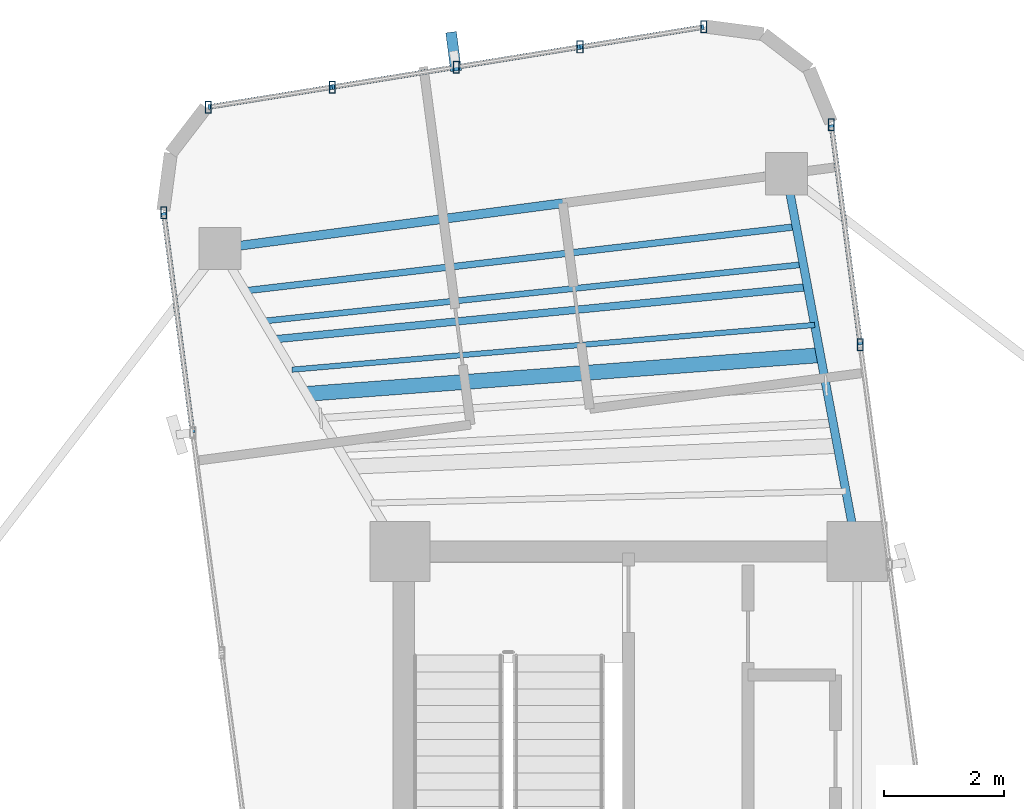
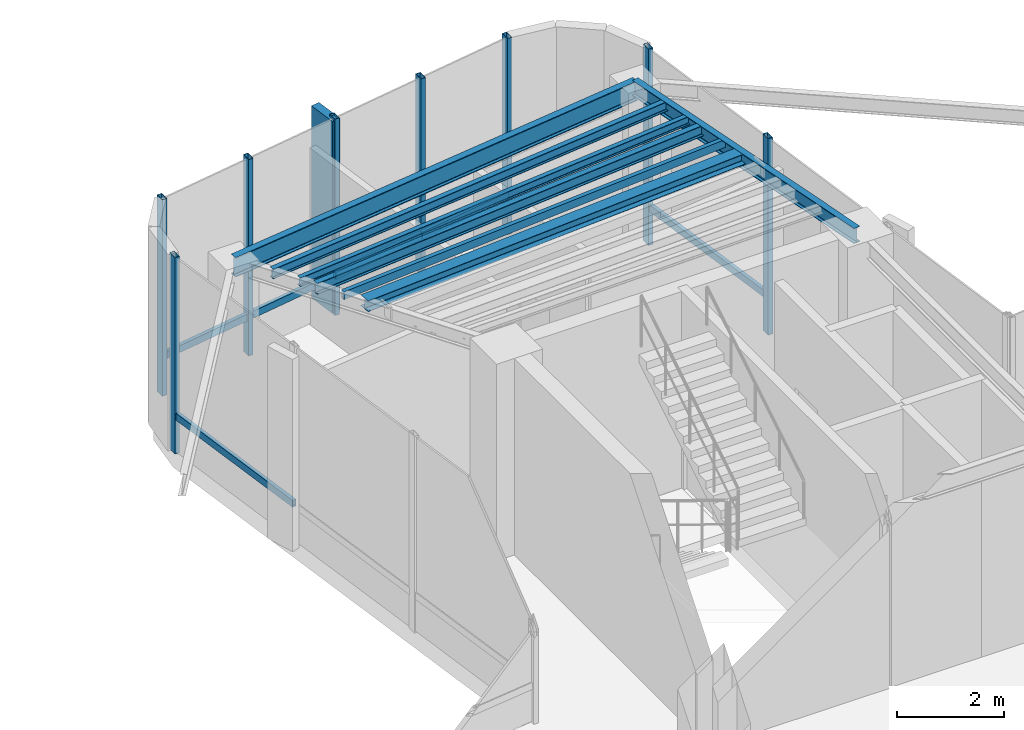
# One storey, part 10 of 16: 15 members, 7 beams, 3 elements without a shape of their own.
"""IFC4 building model written with IfcOpenShell, lengths in metres."""

from ifc_helpers import new_model, si_unit, direction, frame, origin, origin_2d, place, context, subcontext, project, spatial, rectangle, hollow_rectangle, i_section, extrude, source, transform, mapped, material, material_profile, profile_set, type_object, element, aggregate, save


model = new_model("IFC4")

# Units and contexts
model_context = context("Model", 3, precision=1e-05, world=origin(), true_north=direction((0.0, 1.0)))
body_context = subcontext(model_context, "Body", "Model", "MODEL_VIEW")
ifc_project = project(units=[si_unit("LENGTHUNIT", "METRE"), si_unit("AREAUNIT", "SQUARE_METRE"), si_unit("VOLUMEUNIT", "CUBIC_METRE"), si_unit("PLANEANGLEUNIT", "RADIAN"), si_unit("MASSUNIT", "GRAM", prefix="KILO")], contexts=[model_context])

# Site, building, storey
site_placement = place(None, origin())
site = spatial("IfcSite", under=ifc_project, at=site_placement, CompositionType="ELEMENT")
building_placement = place(site_placement, origin())
building = spatial("IfcBuilding", under=site, at=building_placement, Name="Sahyath Konkavel Grand Hotel", CompositionType="ELEMENT")
storey_placement = place(building_placement, frame((0.0, 0.0, 280.300048828125)))
storey = spatial("IfcBuildingStorey", under=building, at=storey_placement, Name="L78", CompositionType="ELEMENT", Elevation=280.300048828125)

# Beams
ifc_material_1 = material(Name="Steel E350", Category="steel")
ifc_material_profile_1 = material_profile(ifc_material_1, i_section(OverallWidth=0.14990234375, OverallDepth=0.449951171875, WebThickness=0.009521484375, FlangeThickness=0.017333984375, FilletRadius=0.014892578125, at=origin_2d()), Name="ISMB 450")
ifc_profile_set_1 = profile_set([ifc_material_profile_1], Name="Steel E350")
beam_type_1 = type_object("IfcBeamType", Name="BM-ISMB450", PredefinedType="BEAM", material=ifc_profile_set_1)
shared_shape_1 = source(origin(), body_context, "Body", "SweptSolid", [
    extrude(i_section(OverallWidth=0.14990234375, OverallDepth=0.449951171875, WebThickness=0.009521484375, FlangeThickness=0.017333984375, FilletRadius=0.014892578125, at=origin_2d()), origin(), (0.0, 0.0, 1.0), 9.5),
])
beam_1_placement = place(storey_placement, frame((2.620849609375, 16.483154296875, 4.27490234375), z_axis=(-0.991444933556, -0.130525643939, 0.0), x_axis=(0.130525643939, -0.991444933556, 0.0)))
element("IfcBeam", 1, at=beam_1_placement, inside=storey, type_object=beam_type_1, Name="L78 Wing Tip Edge Beam N", PredefinedType="BEAM", context=body_context, shape_type="MappedRepresentation", body=[
    mapped(shared_shape_1, transform((0.0, 0.0, 0.0), scale=1.0)),
])
ifc_material_profile_2 = material_profile(ifc_material_1, i_section(OverallWidth=0.139892578125, OverallDepth=0.35009765625, WebThickness=0.008056640625, FlangeThickness=0.01416015625, FilletRadius=0.013916015625, at=origin_2d()), Name="ISMB 350")
ifc_profile_set_2 = profile_set([ifc_material_profile_2], Name="Steel E350")
beam_type_2 = type_object("IfcBeamType", Name="BM-ISMB350", PredefinedType="BEAM", material=ifc_profile_set_2)
shared_shape_2 = source(origin(), body_context, "Body", "SweptSolid", [
    extrude(i_section(OverallWidth=0.139892578125, OverallDepth=0.35009765625, WebThickness=0.008056640625, FlangeThickness=0.01416015625, FilletRadius=0.013916015625, at=origin_2d()), origin(), (0.0, 0.0, 1.0), 6.392822265625),
])
beam_2_placement = place(storey_placement, frame((3.800048828125, 10.199951171875, 4.324951171875), z_axis=(-0.184454547999, 0.982841044993, 0.0), x_axis=(-0.982841044993, -0.184454547999, 0.0)))
element("IfcBeam", 2, at=beam_2_placement, inside=storey, type_object=beam_type_2, Name="L78 Cruciform Radial Girder NA", PredefinedType="BEAM", context=body_context, shape_type="MappedRepresentation", body=[
    mapped(shared_shape_2, transform((0.0, 0.0, 0.0), scale=1.0)),
])
ifc_material_profile_3 = material_profile(ifc_material_1, i_section(OverallWidth=0.25, OverallDepth=0.25, WebThickness=0.0087890625, FlangeThickness=0.009765625, FilletRadius=0.010009765625, at=origin_2d()), Name="ISHB 250")
ifc_profile_set_3 = profile_set([ifc_material_profile_3], Name="Steel E350")
beam_type_3 = type_object("IfcBeamType", Name="BM-ISHB250", PredefinedType="BEAM", material=ifc_profile_set_3)
shared_shape_3 = source(origin(), body_context, "Body", "SweptSolid", [
    extrude(i_section(OverallWidth=0.25, OverallDepth=0.25, WebThickness=0.0087890625, FlangeThickness=0.009765625, FilletRadius=0.010009765625, at=origin_2d()), origin(), (0.0, 0.0, 1.0), 8.570068359375),
])
beam_3_placement = place(storey_placement, frame((3.18701171875, 13.46728515625, 4.375), z_axis=(-0.997165854664, -0.075234688098, 0.0), x_axis=(0.075234688098, -0.997165854664, 0.0)))
element("IfcBeam", 3, at=beam_3_placement, inside=storey, type_object=beam_type_3, Name="L78 Secondary Floor Beam N-2", PredefinedType="BEAM", context=body_context, shape_type="MappedRepresentation", body=[
    mapped(shared_shape_3, transform((0.0, 0.0, 0.0), scale=1.0)),
])
ifc_material_profile_4 = material_profile(ifc_material_1, i_section(OverallWidth=0.10009765625, OverallDepth=0.199951171875, WebThickness=0.005615234375, FlangeThickness=0.0107421875, FilletRadius=0.010986328125, at=origin_2d()), Name="ISMB 200")
ifc_profile_set_4 = profile_set([ifc_material_profile_4], Name="Steel E350")
beam_type_4 = type_object("IfcBeamType", Name="BM-ISMB200", PredefinedType="BEAM", material=ifc_profile_set_4)
shared_shape_4 = source(origin(), body_context, "Body", "SweptSolid", [
    extrude(i_section(OverallWidth=0.10009765625, OverallDepth=0.199951171875, WebThickness=0.005615234375, FlangeThickness=0.0107421875, FilletRadius=0.010986328125, at=origin_2d()), origin(), (0.0, 0.0, 1.0), 9.031494140625),
])
beam_4_placement = place(storey_placement, frame((2.90380859375, 14.97509765625, 4.39990234375), z_axis=(-0.994541240043, -0.104344246869, 0.0), x_axis=(0.104344246869, -0.994541240043, 0.0)))
element("IfcBeam", 4, at=beam_4_placement, inside=storey, type_object=beam_type_4, Name="L78 Secondary Floor Beam N-3", PredefinedType="BEAM", context=body_context, shape_type="MappedRepresentation", body=[
    mapped(shared_shape_4, transform((0.0, 0.0, 0.0), scale=1.0)),
])
ifc_material_profile_5 = material_profile(ifc_material_1, i_section(OverallWidth=0.125, OverallDepth=0.25, WebThickness=0.0068359375, FlangeThickness=0.012451171875, FilletRadius=0.012939453125, at=origin_2d()), Name="ISMB 250")
ifc_profile_set_5 = profile_set([ifc_material_profile_5], Name="Steel E350")
beam_type_5 = type_object("IfcBeamType", Name="BM-ISMB250", PredefinedType="BEAM", material=ifc_profile_set_5)
shared_shape_5 = source(origin(), body_context, "Body", "SweptSolid", [
    extrude(i_section(OverallWidth=0.125, OverallDepth=0.25, WebThickness=0.0068359375, FlangeThickness=0.012451171875, FilletRadius=0.012939453125, at=origin_2d()), origin(), (0.0, 0.0, 1.0), 8.915283203125),
])
beam_5_placement = place(storey_placement, frame((2.974609375, 14.59814453125, 4.375), z_axis=(-0.995250138935, -0.097350711092, 0.0), x_axis=(0.097350711092, -0.995250138935, 0.0)))
element("IfcBeam", 5, at=beam_5_placement, inside=storey, type_object=beam_type_5, Name="L78 Composite Deck Sub-Beam N-5", PredefinedType="BEAM", context=body_context, shape_type="MappedRepresentation", body=[
    mapped(shared_shape_5, transform((0.0, 0.0, 0.0), scale=1.0)),
])
ifc_material_profile_6 = material_profile(ifc_material_1, i_section(OverallWidth=0.110107421875, OverallDepth=0.22509765625, WebThickness=0.006591796875, FlangeThickness=0.01171875, FilletRadius=0.011962890625, at=origin_2d()), Name="ISMB 225")
ifc_profile_set_6 = profile_set([ifc_material_profile_6], Name="Steel E350")
beam_type_6 = type_object("IfcBeamType", Name="BM-ISMB225", PredefinedType="BEAM", material=ifc_profile_set_6)
shared_shape_6 = source(origin(), body_context, "Body", "SweptSolid", [
    extrude(i_section(OverallWidth=0.110107421875, OverallDepth=0.22509765625, WebThickness=0.006591796875, FlangeThickness=0.01171875, FilletRadius=0.011962890625, at=origin_2d()), origin(), (0.0, 0.0, 1.0), 9.225830078125),
])
beam_6_placement = place(storey_placement, frame((2.785888671875, 15.603515625, 4.387451171875), z_axis=(-0.993297209422, -0.115588294191, 0.0), x_axis=(0.115588294191, -0.993297209422, 0.0)))
element("IfcBeam", 6, at=beam_6_placement, inside=storey, type_object=beam_type_6, Name="L78 Composite Deck Sub-Beam N-6", PredefinedType="BEAM", context=body_context, shape_type="MappedRepresentation", body=[
    mapped(shared_shape_6, transform((0.0, 0.0, 0.0), scale=1.0)),
])
ifc_material_profile_7 = material_profile(ifc_material_1, hollow_rectangle(XDim=0.090087890625, YDim=0.179931640625, WallThickness=0.008056640625, at=origin_2d()), Name="RHS 180x90x8")
ifc_profile_set_7 = profile_set([ifc_material_profile_7], Name="Steel E350")
beam_type_7 = type_object("IfcBeamType", Name="BM-RHS180", PredefinedType="BEAM", material=ifc_profile_set_7)
shared_shape_7 = source(origin(), body_context, "Body", "SweptSolid", [
    extrude(hollow_rectangle(XDim=0.090087890625, YDim=0.179931640625, WallThickness=0.008056640625, at=origin_2d()), origin(), (0.0, 0.0, 1.0), 8.722900390625),
])
beam_7_placement = place(storey_placement, frame((3.092529296875, 13.969970703125, 4.409912109375), z_axis=(-0.996354605721, -0.085308262542, 0.0), x_axis=(0.085308262542, -0.996354605721, 0.0)))
element("IfcBeam", 7, at=beam_7_placement, inside=storey, type_object=beam_type_7, Name="L78 Composite Deck Sub-Beam N-4", PredefinedType="BEAM", context=body_context, shape_type="MappedRepresentation", body=[
    mapped(shared_shape_7, transform((0.0, 0.0, 0.0), scale=1.0)),
])

# Curtain wall, members
ifc_material_2 = material(Name="Anodised Bronze Aluminium & Low-E Glazing", Category="aluminium")
curtain_wall_type = type_object("IfcCurtainWallType", Name="CW-CROWN-TMD", PredefinedType="NOTDEFINED", material=ifc_material_2)
curtain_wall_1_placement = place(storey_placement, origin())
curtain_wall_1 = element("IfcCurtainWall", 8, at=curtain_wall_1_placement, inside=storey, type_object=curtain_wall_type, Name="L78 Unitised Curtain Wall F12", PredefinedType="NOTDEFINED")
ifc_material_3 = material(Name="Anodised Bronze Aluminium", Category="aluminium")
ifc_material_profile_8 = material_profile(ifc_material_3, hollow_rectangle(XDim=0.080078125, YDim=0.159912109375, WallThickness=0.006103515625, at=origin_2d()), Name="RHS 160x80x6")
ifc_profile_set_8 = profile_set([ifc_material_profile_8], Name="Anodised Bronze Aluminium")
member_type_1 = type_object("IfcMemberType", Name="CW-TRN-160", PredefinedType="USERDEFINED", material=ifc_profile_set_8)
shared_shape_8 = source(origin(), body_context, "Body", "SweptSolid", [
    extrude(hollow_rectangle(XDim=0.080078125, YDim=0.159912109375, WallThickness=0.006103515625, at=origin_2d()), origin(), (0.0, 0.0, 1.0), 2.08740234375),
])
member_1_placement = place(storey_placement, frame((-4.930419921875, 17.92431640625, 0.849853515625), z_axis=(-0.98719124923, -0.159541334591, 0.0), x_axis=(0.159541334591, -0.98719124923, 0.0)))
member_1 = element("IfcMember", 9, at=member_1_placement, type_object=member_type_1, Name="L78 Curtain Wall Transom F12-3-spandrel", ObjectType="TRANSOM", PredefinedType="USERDEFINED", context=body_context, shape_type="MappedRepresentation", body=[
    mapped(shared_shape_8, transform((0.0, 0.0, 0.0), scale=1.0)),
])
shared_shape_9 = source(origin(), body_context, "Body", "SweptSolid", [
    extrude(hollow_rectangle(XDim=0.080078125, YDim=0.159912109375, WallThickness=0.006103515625, at=origin_2d()), origin(), (0.0, 0.0, 1.0), 2.087158203125),
])
member_2_placement = place(storey_placement, frame((1.25048828125, 18.923828125, 0.849853515625), z_axis=(-0.987188271533, -0.159559758546, 0.0), x_axis=(0.159559758546, -0.987188271533, 0.0)))
member_2 = element("IfcMember", 10, at=member_2_placement, type_object=member_type_1, Name="L78 Curtain Wall Transom F12-0-spandrel", ObjectType="TRANSOM", PredefinedType="USERDEFINED", context=body_context, shape_type="MappedRepresentation", body=[
    mapped(shared_shape_9, transform((0.0, 0.0, 0.0), scale=1.0)),
])
member_3_placement = place(storey_placement, frame((-0.809814453125, 18.5908203125, 0.849853515625), z_axis=(-0.98716983924, -0.159673756436, 0.0), x_axis=(0.159673756436, -0.98716983924, 0.0)))
member_3 = element("IfcMember", 11, at=member_3_placement, type_object=member_type_1, Name="L78 Curtain Wall Transom F12-1-spandrel", ObjectType="TRANSOM", PredefinedType="USERDEFINED", context=body_context, shape_type="MappedRepresentation", body=[
    mapped(shared_shape_9, transform((0.0, 0.0, 0.0), scale=1.0)),
])
member_4_placement = place(storey_placement, frame((-2.8701171875, 18.257568359375, 0.849853515625), z_axis=(-0.98716983924, -0.159673756436, 0.0), x_axis=(0.159673756436, -0.98716983924, 0.0)))
member_4 = element("IfcMember", 12, at=member_4_placement, type_object=member_type_1, Name="L78 Curtain Wall Transom F12-2-spandrel", ObjectType="TRANSOM", PredefinedType="USERDEFINED", context=body_context, shape_type="MappedRepresentation", body=[
    mapped(shared_shape_9, transform((0.0, 0.0, 0.0), scale=1.0)),
])

curtain_wall_2_placement = place(storey_placement, origin())
curtain_wall_2 = element("IfcCurtainWall", 13, at=curtain_wall_2_placement, inside=storey, type_object=curtain_wall_type, Name="L78 Unitised Curtain Wall F8", PredefinedType="NOTDEFINED")
ifc_material_profile_9 = material_profile(ifc_material_3, hollow_rectangle(XDim=0.10009765625, YDim=0.199951171875, WallThickness=0.008056640625, at=origin_2d()), Name="RHS 200x100x8")
ifc_profile_set_9 = profile_set([ifc_material_profile_9], Name="Anodised Bronze Aluminium")
member_type_2 = type_object("IfcMemberType", Name="CW-MUL-200", PredefinedType="MULLION", material=ifc_profile_set_9)
shared_shape_10 = source(origin(), body_context, "Body", "SweptSolid", [
    extrude(hollow_rectangle(XDim=0.10009765625, YDim=0.199951171875, WallThickness=0.008056640625, at=origin_2d()), origin(), (0.0, 0.0, 1.0), 4.5),
])
member_5_placement = place(storey_placement, frame((3.8525390625, 13.639404296875, 0.0), z_axis=(0.0, 0.0, 1.0), x_axis=(1.0, 0.0, 0.0)))
member_5 = element("IfcMember", 14, at=member_5_placement, type_object=member_type_2, Name="L78 Curtain Wall Mullion F8-2", PredefinedType="MULLION", context=body_context, shape_type="MappedRepresentation", body=[
    mapped(shared_shape_10, transform((0.0, 0.0, 0.0), scale=1.0)),
])
member_6_placement = place(storey_placement, frame((3.37109375, 17.2978515625, 0.0), z_axis=(0.0, 0.0, 1.0), x_axis=(1.0, 0.0, 0.0)))
member_6 = element("IfcMember", 15, at=member_6_placement, type_object=member_type_2, Name="L78 Curtain Wall Mullion F8-3", PredefinedType="MULLION", context=body_context, shape_type="MappedRepresentation", body=[
    mapped(shared_shape_10, transform((0.0, 0.0, 0.0), scale=1.0)),
])

# Member
member_7_placement = place(storey_placement, frame((1.25048828125, 18.923828125, 0.0), z_axis=(0.0, 0.0, 1.0), x_axis=(1.0, 0.0, 0.0)))
member_7 = element("IfcMember", 16, at=member_7_placement, type_object=member_type_2, Name="L78 Curtain Wall Mullion F12-0", PredefinedType="MULLION", context=body_context, shape_type="MappedRepresentation", body=[
    mapped(shared_shape_10, transform((0.0, 0.0, 0.0), scale=1.0)),
])

member_8_placement = place(storey_placement, frame((-0.809814453125, 18.5908203125, 0.0), z_axis=(0.0, 0.0, 1.0), x_axis=(1.0, 0.0, 0.0)))
member_8 = element("IfcMember", 17, at=member_8_placement, type_object=member_type_2, Name="L78 Curtain Wall Mullion F12-1", PredefinedType="MULLION", context=body_context, shape_type="MappedRepresentation", body=[
    mapped(shared_shape_10, transform((0.0, 0.0, 0.0), scale=1.0)),
])

member_9_placement = place(storey_placement, frame((-2.8701171875, 18.257568359375, 0.0), z_axis=(0.0, 0.0, 1.0), x_axis=(1.0, 0.0, 0.0)))
member_9 = element("IfcMember", 18, at=member_9_placement, type_object=member_type_2, Name="L78 Curtain Wall Mullion F12-2", PredefinedType="MULLION", context=body_context, shape_type="MappedRepresentation", body=[
    mapped(shared_shape_10, transform((0.0, 0.0, 0.0), scale=1.0)),
])

member_10_placement = place(storey_placement, frame((-4.930419921875, 17.92431640625, 0.0), z_axis=(0.0, 0.0, 1.0), x_axis=(1.0, 0.0, 0.0)))
member_10 = element("IfcMember", 19, at=member_10_placement, type_object=member_type_2, Name="L78 Curtain Wall Mullion F12-3", PredefinedType="MULLION", context=body_context, shape_type="MappedRepresentation", body=[
    mapped(shared_shape_10, transform((0.0, 0.0, 0.0), scale=1.0)),
])

member_11_placement = place(storey_placement, frame((-6.990966796875, 17.59130859375, 0.0), z_axis=(0.0, 0.0, 1.0), x_axis=(1.0, 0.0, 0.0)))
member_11 = element("IfcMember", 20, at=member_11_placement, type_object=member_type_2, Name="L78 Curtain Wall Mullion F12-4", PredefinedType="MULLION", context=body_context, shape_type="MappedRepresentation", body=[
    mapped(shared_shape_10, transform((0.0, 0.0, 0.0), scale=1.0)),
])

# Curtain wall, member
curtain_wall_3_placement = place(storey_placement, origin())
curtain_wall_3 = element("IfcCurtainWall", 21, at=curtain_wall_3_placement, inside=storey, type_object=curtain_wall_type, Name="L78 Unitised Curtain Wall F15", PredefinedType="NOTDEFINED")
member_12_placement = place(storey_placement, frame((-7.733154296875, 15.836181640625, 0.0), z_axis=(0.0, 0.0, 1.0), x_axis=(1.0, 0.0, 0.0)))
member_12 = element("IfcMember", 22, at=member_12_placement, type_object=member_type_2, Name="L78 Curtain Wall Mullion F15-0", PredefinedType="MULLION", context=body_context, shape_type="MappedRepresentation", body=[
    mapped(shared_shape_10, transform((0.0, 0.0, 0.0), scale=1.0)),
])

# Member
ifc_material_4 = material(Name="Warm Buff Sandstone Cladding on Concrete C50/60", Category="masonry")
ifc_material_profile_10 = material_profile(ifc_material_4, rectangle(XDim=0.179931640625, YDim=0.64990234375, at=origin_2d()), Name="FIN 180x650")
ifc_profile_set_10 = profile_set([ifc_material_profile_10], Name="Warm Buff Sandstone Cladding on Concrete C50/60")
member_type_3 = type_object("IfcMemberType", Name="FIN-SANDSTONE-650", PredefinedType="MULLION", material=ifc_profile_set_10)
shared_shape_11 = source(origin(), body_context, "Body", "SweptSolid", [
    extrude(rectangle(XDim=0.179931640625, YDim=0.64990234375, at=origin_2d()), origin(), (0.0, 0.0, 1.0), 4.39990234375),
])
member_13_placement = place(storey_placement, frame((-2.91162109375, 18.514404296875, 0.050048828125), z_axis=(0.0, 0.0, 1.0), x_axis=(0.991648668207, 0.128968673884, 0.0)))
member_13 = element("IfcMember", 23, at=member_13_placement, type_object=member_type_3, Name="L78 Sandstone Vertical Solar Fin FIN F12-2", PredefinedType="MULLION", context=body_context, shape_type="MappedRepresentation", body=[
    mapped(shared_shape_11, transform((0.0, 0.0, 0.0), scale=1.0)),
])

aggregate(curtain_wall_1, [member_7, member_8, member_9, member_13, member_10, member_11, member_2, member_3, member_4, member_1])

shared_shape_12 = source(origin(), body_context, "Body", "SweptSolid", [
    extrude(hollow_rectangle(XDim=0.080078125, YDim=0.159912109375, WallThickness=0.006103515625, at=origin_2d()), origin(), (0.0, 0.0, 1.0), 3.68994140625),
])
member_14_placement = place(storey_placement, frame((3.8525390625, 13.639404296875, 0.849853515625), z_axis=(-0.130473339038, 0.991451818194, 0.0), x_axis=(-0.991451818194, -0.130473339038, 0.0)))
member_14 = element("IfcMember", 24, at=member_14_placement, type_object=member_type_1, Name="L78 Curtain Wall Transom F8-2-spandrel", ObjectType="TRANSOM", PredefinedType="USERDEFINED", context=body_context, shape_type="MappedRepresentation", body=[
    mapped(shared_shape_12, transform((0.0, 0.0, 0.0), scale=1.0)),
])

aggregate(curtain_wall_2, [member_5, member_6, member_14])

member_15_placement = place(storey_placement, frame((-7.733154296875, 15.836181640625, 0.849853515625), z_axis=(0.130538374835, -0.991443257426, 0.0), x_axis=(0.991443257426, 0.130538374835, 0.0)))
member_15 = element("IfcMember", 25, at=member_15_placement, type_object=member_type_1, Name="L78 Curtain Wall Transom F15-0-spandrel", ObjectType="TRANSOM", PredefinedType="USERDEFINED", context=body_context, shape_type="MappedRepresentation", body=[
    mapped(shared_shape_12, transform((0.0, 0.0, 0.0), scale=1.0)),
])

aggregate(curtain_wall_3, [member_12, member_15])

save(model, "model.ifc")
